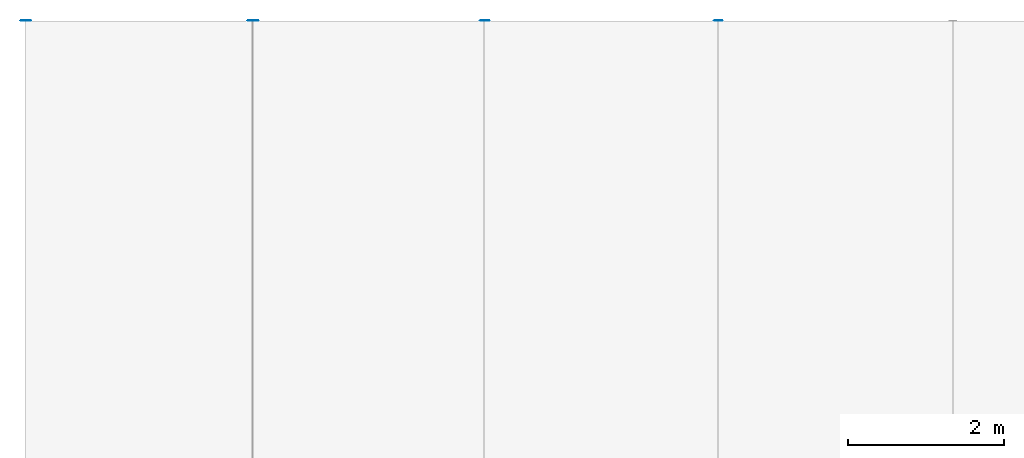
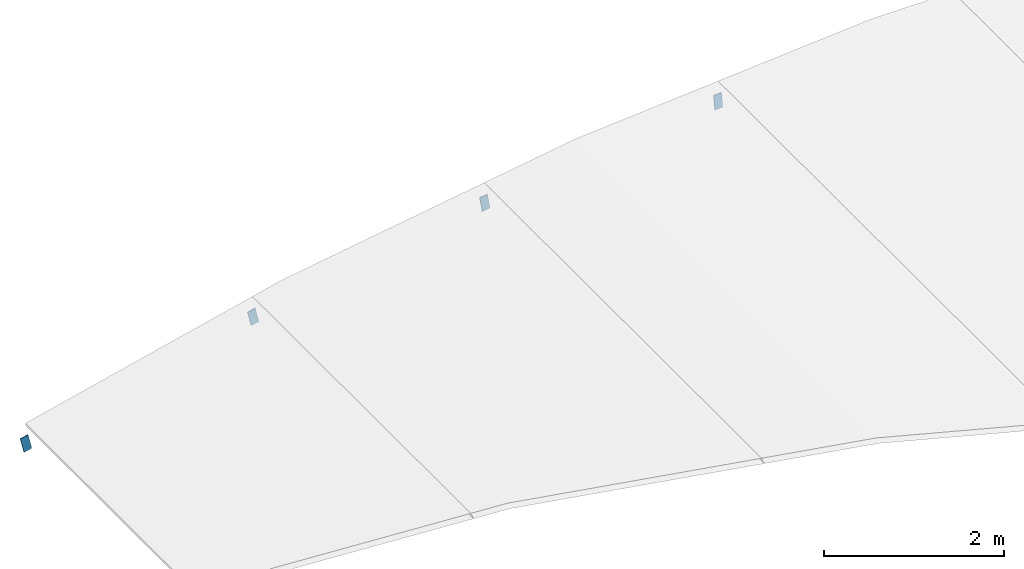
# One storey, part 4 of 13: 4 discrete accessories.
"""IFC4 building model written with IfcOpenShell, lengths in metres."""

from ifc_helpers import new_model, si_unit, direction, frame, origin, origin_2d, place, context, subcontext, project, spatial, rectangle, extrude, material, material_profile, profile_set, type_object, element, save


model = new_model("IFC4")

# Units and contexts
model_context = context("Model", 3, precision=1e-05, world=origin(), true_north=direction((0.0, 1.0)))
body_context = subcontext(model_context, "Body", "Model", "MODEL_VIEW")
ifc_project = project(units=[si_unit("LENGTHUNIT", "METRE"), si_unit("AREAUNIT", "SQUARE_METRE"), si_unit("VOLUMEUNIT", "CUBIC_METRE"), si_unit("PLANEANGLEUNIT", "RADIAN"), si_unit("MASSUNIT", "GRAM", prefix="KILO")], contexts=[model_context])

# Site, building, storey
site_placement = place(None, origin())
site = spatial("IfcSite", under=ifc_project, at=site_placement, CompositionType="ELEMENT")
building_placement = place(site_placement, origin())
building = spatial("IfcBuilding", under=site, at=building_placement, Name="Verrick Yard Athletic Hall", CompositionType="ELEMENT")
storey_placement = place(building_placement, frame((0.0, 0.0, 21.5)))
storey = spatial("IfcBuildingStorey", under=building, at=storey_placement, Name="Upper Roof", CompositionType="ELEMENT", Elevation=21.5)

# Discrete accessories
ifc_material = material(Name="Structural steel 350W (CSA G40.21)", Category="steel")
ifc_material_profile = material_profile(ifc_material, rectangle(XDim=0.1015625, YDim=0.203125, at=origin_2d()), Name="STR End cap plate 203x102x9.5")
ifc_profile_set = profile_set([ifc_material_profile], Name="Structural steel 350W (CSA G40.21)")
discrete_accessory_type = type_object("IfcDiscreteAccessoryType", Name="STR End cap plate 203x102x9.5", PredefinedType="BRACKET", material=ifc_profile_set)
for number, where, z_axis, x_axis, name in (
    (1, (45.150390625, 108.0, 0.964599609375), (0.0, 1.0, 0.0), (-0.987728086354, 0.0, -0.156183313539), "End cap HB-PU-B-5-7 B"),
    (2, (48.14794921875, 108.0, 1.294677734375), (0.0, 1.0, 0.0), (-0.996927304266, 0.0, -0.078332305011), "End cap HB-PU-B-5-8 B"),
    (3, (39.2587890625, 108.0, -0.239990234375), (0.0, 1.0, 0.0), (-0.972458956474, 0.0, -0.23307418985), "End cap HB-PU-B-5-5 B"),
    (4, (42.176025390625, 108.0, 0.459228515625), (0.0, 1.0, 0.0), (-0.972458956474, 0.0, -0.23307418985), "End cap HB-PU-B-5-6 B"),
):
    element("IfcDiscreteAccessory", number, at=place(storey_placement, frame(where, z_axis=z_axis, x_axis=x_axis)), inside=storey, type_object=discrete_accessory_type, Name=name, PredefinedType="BRACKET", context=body_context, shape_type="SweptSolid", body=[
        extrude(rectangle(XDim=0.1015625, YDim=0.203125, at=origin_2d()), origin(), (0.0, 0.0, 1.0), 0.010009765625),
    ])

save(model, "model.ifc")
